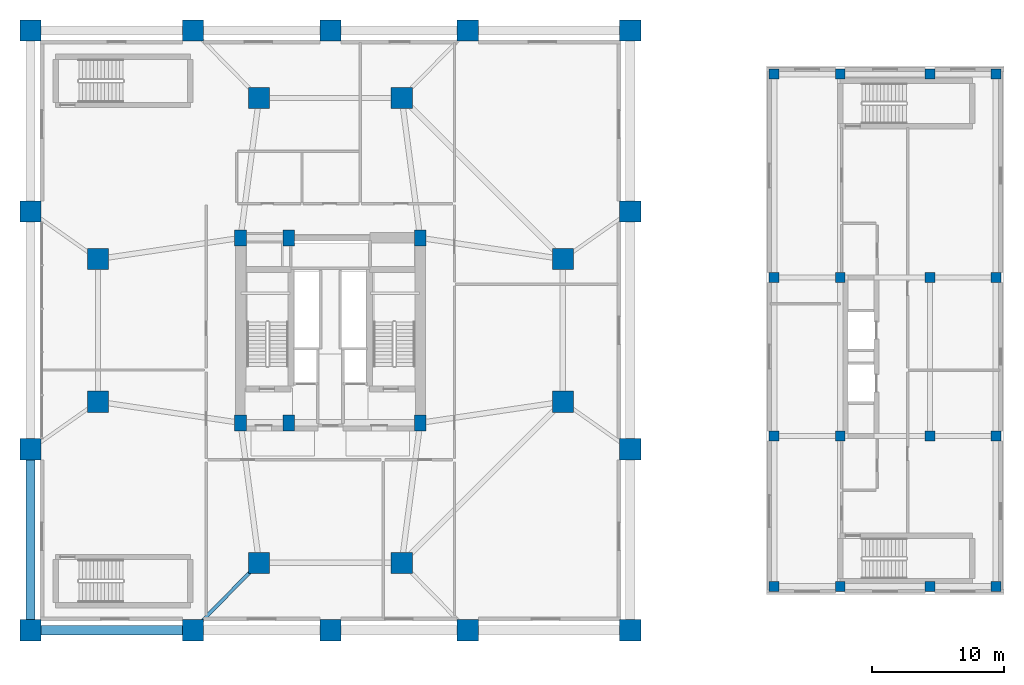
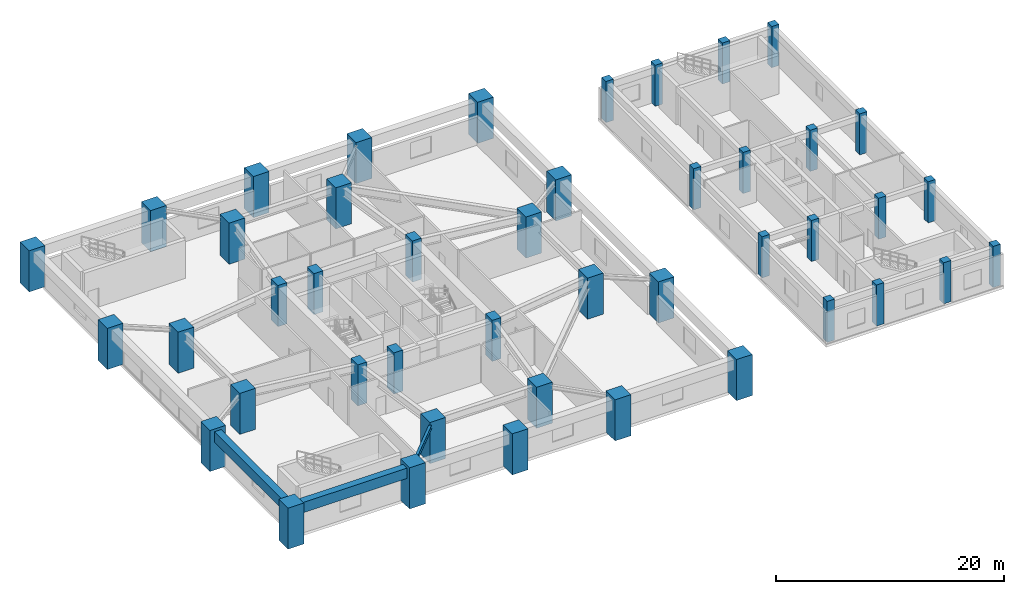
# One storey, part 1 of 16: 44 columns, 3 beams.
"""IFC4 building model written with IfcOpenShell, lengths in metres."""

from ifc_helpers import new_model, si_unit, direction, frame, origin, origin_2d, place, context, subcontext, project, spatial, rectangle, i_section, extrude, material, material_profile, profile_set, type_object, element, save


model = new_model("IFC4")

# Units and contexts
model_context = context("Model", 3, precision=1e-05, world=origin(), true_north=direction((0.0, 1.0)))
body_context = subcontext(model_context, "Body", "Model", "MODEL_VIEW")
ifc_project = project(units=[si_unit("LENGTHUNIT", "METRE"), si_unit("AREAUNIT", "SQUARE_METRE"), si_unit("VOLUMEUNIT", "CUBIC_METRE"), si_unit("PLANEANGLEUNIT", "RADIAN"), si_unit("MASSUNIT", "GRAM", prefix="KILO")], contexts=[model_context])

# Site, building, storey
site_placement = place(None, origin())
site = spatial("IfcSite", under=ifc_project, at=site_placement, CompositionType="ELEMENT")
building_placement = place(site_placement, origin())
building = spatial("IfcBuilding", under=site, at=building_placement, Name="Veraguas Prism Commons", CompositionType="ELEMENT")
storey_placement = place(building_placement, frame((0.0, 0.0, 9.60009765625)))
storey = spatial("IfcBuildingStorey", under=building, at=storey_placement, Name="L02", CompositionType="ELEMENT", Elevation=9.60009765625)

# Columns
ifc_material_1 = material(Name="Concrete C50/60", Category="concrete")
ifc_material_profile_1 = material_profile(ifc_material_1, rectangle(XDim=0.75, YDim=0.75, at=origin_2d()), Name="RC750X750")
ifc_profile_set_1 = profile_set([ifc_material_profile_1], Name="Concrete C50/60")
column_type_1 = type_object("IfcColumnType", Name="Column Clinic RC 750x750", PredefinedType="COLUMN", material=ifc_profile_set_1)
for number, where, z_axis, x_axis, name in (
    (1, (57.60009765625, 4.60009765625, 0.0), (0.0, 0.0, 1.0), (1.0, 0.0, 0.0), "Health Centre Column L02-HC01"),
    (2, (57.60009765625, 16.0, 0.0), (0.0, 0.0, 1.0), (1.0, 0.0, 0.0), "Health Centre Column L02-HC02"),
    (3, (57.60009765625, 28.0, 0.0), (0.0, 0.0, 1.0), (1.0, 0.0, 0.0), "Health Centre Column L02-HC03"),
    (4, (57.60009765625, 43.39990234375, 0.0), (0.0, 0.0, 1.0), (1.0, 0.0, 0.0), "Health Centre Column L02-HC04"),
    (5, (62.60009765625, 4.60009765625, 0.0), (0.0, 0.0, 1.0), (1.0, 0.0, 0.0), "Health Centre Column L02-HC05"),
    (6, (62.60009765625, 16.0, 0.0), (0.0, 0.0, 1.0), (1.0, 0.0, 0.0), "Health Centre Column L02-HC06"),
    (7, (62.60009765625, 28.0, 0.0), (0.0, 0.0, 1.0), (1.0, 0.0, 0.0), "Health Centre Column L02-HC07"),
    (8, (62.60009765625, 43.39990234375, 0.0), (0.0, 0.0, 1.0), (1.0, 0.0, 0.0), "Health Centre Column L02-HC08"),
    (9, (69.39990234375, 4.60009765625, 0.0), (0.0, 0.0, 1.0), (1.0, 0.0, 0.0), "Health Centre Column L02-HC09"),
    (10, (69.39990234375, 16.0, 0.0), (0.0, 0.0, 1.0), (1.0, 0.0, 0.0), "Health Centre Column L02-HC10"),
    (11, (69.39990234375, 28.0, 0.0), (0.0, 0.0, 1.0), (1.0, 0.0, 0.0), "Health Centre Column L02-HC11"),
    (12, (69.39990234375, 43.39990234375, 0.0), (0.0, 0.0, 1.0), (1.0, 0.0, 0.0), "Health Centre Column L02-HC12"),
    (13, (74.39990234375, 4.60009765625, 0.0), (0.0, 0.0, 1.0), (1.0, 0.0, 0.0), "Health Centre Column L02-HC13"),
    (14, (74.39990234375, 16.0, 0.0), (0.0, 0.0, 1.0), (1.0, 0.0, 0.0), "Health Centre Column L02-HC14"),
    (15, (74.39990234375, 28.0, 0.0), (0.0, 0.0, 1.0), (1.0, 0.0, 0.0), "Health Centre Column L02-HC15"),
    (16, (74.39990234375, 43.39990234375, 0.0), (0.0, 0.0, 1.0), (1.0, 0.0, 0.0), "Health Centre Column L02-HC16"),
):
    element("IfcColumn", number, at=place(storey_placement, frame(where, z_axis=z_axis, x_axis=x_axis)), inside=storey, type_object=column_type_1, Name=name, PredefinedType="COLUMN", context=body_context, shape_type="SweptSolid", body=[
        extrude(rectangle(XDim=0.75, YDim=0.75, at=origin_2d()), origin(), (0.0, 0.0, 1.0), 4.39990234375),
    ])
ifc_material_2 = material(Name="Concrete C60/75", Category="concrete")
ifc_material_profile_2 = material_profile(ifc_material_2, rectangle(XDim=1.60009765625, YDim=1.60009765625, at=origin_2d()), Name="RC1600X1600")
ifc_profile_set_2 = profile_set([ifc_material_profile_2], Name="Concrete C60/75")
column_type_2 = type_object("IfcColumnType", Name="Column Mega RC 1600x1600", PredefinedType="COLUMN", material=ifc_profile_set_2)
for number, where, z_axis, x_axis, name in (
    (17, (1.300048828125, 1.300048828125, 0.0), (0.0, 0.0, 1.0), (1.0, 0.0, 0.0), "Podium Mega Column L02-PD01"),
    (18, (13.60009765625, 1.300048828125, 0.0), (0.0, 0.0, 1.0), (1.0, 0.0, 0.0), "Podium Mega Column L02-PD02"),
    (19, (24.0, 1.300048828125, 0.0), (0.0, 0.0, 1.0), (1.0, 0.0, 0.0), "Podium Mega Column L02-PD03"),
    (20, (34.39990234375, 1.300048828125, 0.0), (0.0, 0.0, 1.0), (1.0, 0.0, 0.0), "Podium Mega Column L02-PD04"),
    (21, (46.699951171875, 1.300048828125, 0.0), (0.0, 0.0, 1.0), (1.0, 0.0, 0.0), "Podium Mega Column L02-PD05"),
    (22, (1.300048828125, 15.0, 0.0), (0.0, 0.0, 1.0), (1.0, 0.0, 0.0), "Podium Mega Column L02-PD06"),
    (23, (46.699951171875, 15.0, 0.0), (0.0, 0.0, 1.0), (1.0, 0.0, 0.0), "Podium Mega Column L02-PD07"),
    (24, (1.300048828125, 33.0, 0.0), (0.0, 0.0, 1.0), (1.0, 0.0, 0.0), "Podium Mega Column L02-PD08"),
    (25, (46.699951171875, 33.0, 0.0), (0.0, 0.0, 1.0), (1.0, 0.0, 0.0), "Podium Mega Column L02-PD09"),
    (26, (1.300048828125, 46.699951171875, 0.0), (0.0, 0.0, 1.0), (1.0, 0.0, 0.0), "Podium Mega Column L02-PD10"),
    (27, (13.60009765625, 46.699951171875, 0.0), (0.0, 0.0, 1.0), (1.0, 0.0, 0.0), "Podium Mega Column L02-PD11"),
    (28, (24.0, 46.699951171875, 0.0), (0.0, 0.0, 1.0), (1.0, 0.0, 0.0), "Podium Mega Column L02-PD12"),
    (29, (34.39990234375, 46.699951171875, 0.0), (0.0, 0.0, 1.0), (1.0, 0.0, 0.0), "Podium Mega Column L02-PD13"),
    (30, (46.699951171875, 46.699951171875, 0.0), (0.0, 0.0, 1.0), (1.0, 0.0, 0.0), "Podium Mega Column L02-PD14"),
    (31, (41.60009765625, 18.60009765625, 0.0), (0.0, 0.0, 1.0), (1.0, 0.0, 0.0), "Tower Mega Column L02-TM01"),
    (32, (41.60009765625, 29.39990234375, 0.0), (0.0, 0.0, 1.0), (1.0, 0.0, 0.0), "Tower Mega Column L02-TM02"),
    (33, (29.39990234375, 41.60009765625, 0.0), (0.0, 0.0, 1.0), (1.0, 0.0, 0.0), "Tower Mega Column L02-TM03"),
    (34, (18.60009765625, 41.60009765625, 0.0), (0.0, 0.0, 1.0), (1.0, 0.0, 0.0), "Tower Mega Column L02-TM04"),
    (35, (6.39990234375, 29.39990234375, 0.0), (0.0, 0.0, 1.0), (1.0, 0.0, 0.0), "Tower Mega Column L02-TM05"),
    (36, (6.39990234375, 18.60009765625, 0.0), (0.0, 0.0, 1.0), (1.0, 0.0, 0.0), "Tower Mega Column L02-TM06"),
    (37, (18.60009765625, 6.39990234375, 0.0), (0.0, 0.0, 1.0), (1.0, 0.0, 0.0), "Tower Mega Column L02-TM07"),
    (38, (29.39990234375, 6.39990234375, 0.0), (0.0, 0.0, 1.0), (1.0, 0.0, 0.0), "Tower Mega Column L02-TM08"),
):
    element("IfcColumn", number, at=place(storey_placement, frame(where, z_axis=z_axis, x_axis=x_axis)), inside=storey, type_object=column_type_2, Name=name, PredefinedType="COLUMN", context=body_context, shape_type="SweptSolid", body=[
        extrude(rectangle(XDim=1.60009765625, YDim=1.60009765625, at=origin_2d()), origin(), (0.0, 0.0, 1.0), 4.39990234375),
    ])
ifc_material_profile_3 = material_profile(ifc_material_2, rectangle(XDim=0.89990234375, YDim=1.199951171875, at=origin_2d()), Name="RC900X1200")
ifc_profile_set_3 = profile_set([ifc_material_profile_3], Name="Concrete C60/75")
column_type_3 = type_object("IfcColumnType", Name="Pilaster Core Lower RC 900x1200", PredefinedType="PILASTER", material=ifc_profile_set_3)
for number, where, z_axis, x_axis, name in (
    (39, (17.199951171875, 17.0, 0.0), (0.0, 0.0, 1.0), (1.0, 0.0, 0.0), "Core Pilaster Column L02-CR1"),
    (40, (20.85009765625, 17.0, 0.0), (0.0, 0.0, 1.0), (1.0, 0.0, 0.0), "Core Pilaster Column L02-CR2"),
    (41, (30.800048828125, 17.0, 0.0), (0.0, 0.0, 1.0), (1.0, 0.0, 0.0), "Core Pilaster Column L02-CR3"),
    (42, (17.199951171875, 31.0, 0.0), (0.0, 0.0, 1.0), (1.0, 0.0, 0.0), "Core Pilaster Column L02-CR4"),
    (43, (20.85009765625, 31.0, 0.0), (0.0, 0.0, 1.0), (1.0, 0.0, 0.0), "Core Pilaster Column L02-CR5"),
    (44, (30.800048828125, 31.0, 0.0), (0.0, 0.0, 1.0), (1.0, 0.0, 0.0), "Core Pilaster Column L02-CR6"),
):
    element("IfcColumn", number, at=place(storey_placement, frame(where, z_axis=z_axis, x_axis=x_axis)), inside=storey, type_object=column_type_3, Name=name, PredefinedType="PILASTER", context=body_context, shape_type="SweptSolid", body=[
        extrude(rectangle(XDim=0.89990234375, YDim=1.199951171875, at=origin_2d()), origin(), (0.0, 0.0, 1.0), 4.39990234375),
    ])

# Beams
ifc_material_3 = material(Name="Steel ASTM A992 Grade 50", Category="steel")
ifc_material_profile_4 = material_profile(ifc_material_3, i_section(OverallWidth=0.260986328125, OverallDepth=0.419921875, WebThickness=0.01171875, FlangeThickness=0.019287109375, at=origin_2d()), Name="W410X114")
ifc_profile_set_4 = profile_set([ifc_material_profile_4], Name="Steel ASTM A992 Grade 50")
beam_type_1 = type_object("IfcBeamType", Name="Lower Floor Joist W410x114", PredefinedType="JOIST", material=ifc_profile_set_4)
beam_1_placement = place(storey_placement, frame((18.60009765625, 6.39990234375, 3.889892578125), z_axis=(-0.700081663946, -0.71406278702, 0.0), x_axis=(0.71406278702, -0.700081663946, 0.0)))
element("IfcBeam", 45, at=beam_1_placement, inside=storey, type_object=beam_type_1, Name="Podium Tie Beam L02-TMT07", PredefinedType="JOIST", context=body_context, shape_type="SweptSolid", body=[
    extrude(i_section(OverallWidth=0.260986328125, OverallDepth=0.419921875, WebThickness=0.01171875, FlangeThickness=0.019287109375, at=origin_2d()), origin(), (0.0, 0.0, 1.0), 7.14208984375),
])
ifc_material_profile_5 = material_profile(ifc_material_1, rectangle(XDim=0.699951171875, YDim=1.10009765625, at=origin_2d()), Name="RC700X1100")
ifc_profile_set_5 = profile_set([ifc_material_profile_5], Name="Concrete C50/60")
beam_type_2 = type_object("IfcBeamType", Name="Podium Primary Girder RC 700x1100", PredefinedType="BEAM", material=ifc_profile_set_5)
beam_2_placement = place(storey_placement, frame((1.300048828125, 1.300048828125, 3.5498046875), z_axis=(1.0, 0.0, 0.0), x_axis=(0.0, 1.0, 0.0)))
element("IfcBeam", 46, at=beam_2_placement, inside=storey, type_object=beam_type_2, Name="Podium Perimeter Girder L02-PDR01", PredefinedType="BEAM", context=body_context, shape_type="SweptSolid", body=[
    extrude(rectangle(XDim=0.699951171875, YDim=1.10009765625, at=origin_2d()), origin(), (0.0, 0.0, 1.0), 12.300048828125),
])
beam_3_placement = place(storey_placement, frame((1.300048828125, 15.0, 3.5498046875), z_axis=(0.0, -1.0, 0.0), x_axis=(1.0, 0.0, 0.0)))
element("IfcBeam", 47, at=beam_3_placement, inside=storey, type_object=beam_type_2, Name="Podium Perimeter Girder L02-PDR14", PredefinedType="BEAM", context=body_context, shape_type="SweptSolid", body=[
    extrude(rectangle(XDim=0.699951171875, YDim=1.10009765625, at=origin_2d()), origin(), (0.0, 0.0, 1.0), 13.699951171875),
])

save(model, "model.ifc")
